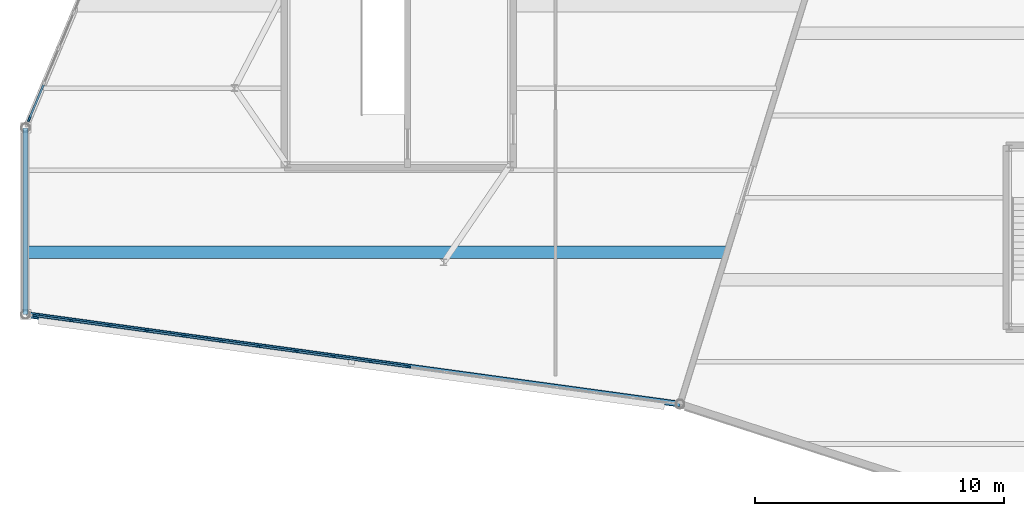
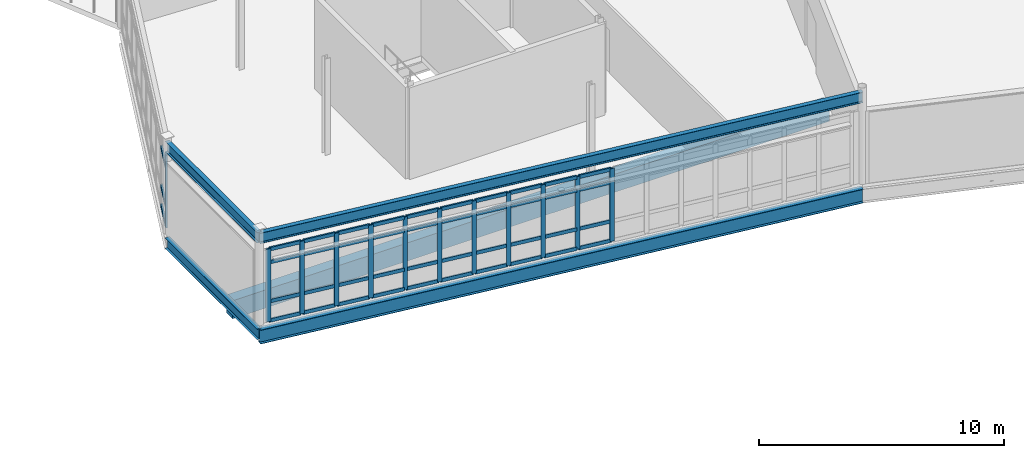
# One storey, part 42 of 114: 55 members, 5 beams, 2 elements without a shape of their own.
"""IFC4 building model written with IfcOpenShell, lengths in metres."""

from ifc_helpers import new_model, si_unit, direction, frame, origin, origin_2d, place, context, subcontext, project, spatial, rectangle, i_section, extrude, material, material_profile, profile_set, type_object, element, aggregate, save


model = new_model("IFC4")

# Units and contexts
model_context = context("Model", 3, precision=1e-05, world=origin(), true_north=direction((0.0, 1.0)))
body_context = subcontext(model_context, "Body", "Model", "MODEL_VIEW")
ifc_project = project(units=[si_unit("LENGTHUNIT", "METRE"), si_unit("AREAUNIT", "SQUARE_METRE"), si_unit("VOLUMEUNIT", "CUBIC_METRE"), si_unit("PLANEANGLEUNIT", "RADIAN"), si_unit("MASSUNIT", "GRAM", prefix="KILO")], contexts=[model_context])

# Site, building, storey
site_placement = place(None, origin())
site = spatial("IfcSite", under=ifc_project, at=site_placement, CompositionType="ELEMENT")
building_placement = place(site_placement, origin())
building = spatial("IfcBuilding", under=site, at=building_placement, Name="Tameran Prism Museum", CompositionType="ELEMENT")
storey_placement = place(building_placement, frame((0.0, 0.0, 10.199951171875)))
storey = spatial("IfcBuildingStorey", under=building, at=storey_placement, Name="L02", CompositionType="ELEMENT", Elevation=10.199951171875)

# Beams
ifc_material_1 = material(Name="Concrete N40 (40 MPa)", Category="concrete")
ifc_material_profile_1 = material_profile(ifc_material_1, rectangle(XDim=0.5, YDim=0.89990234375, at=origin_2d()))
ifc_profile_set_1 = profile_set([ifc_material_profile_1])
beam_type_1 = type_object("IfcBeamType", Name="BM-RC900", PredefinedType="BEAM", material=ifc_profile_set_1)
beam_1_placement = place(storey_placement, frame((0.0400390625, 70.39990234375, -0.7099609375), z_axis=(1.0, 0.0, 0.0), x_axis=(0.0, 1.0, 0.0)))
element("IfcBeam", 1, at=beam_1_placement, inside=storey, type_object=beam_type_1, Name="Floor Beam BM-0925", PredefinedType="BEAM", context=body_context, shape_type="SweptSolid", body=[
    extrude(rectangle(XDim=0.5, YDim=0.89990234375, at=origin_2d()), origin(), (0.0, 0.0, 1.0), 28.097900390625),
])
ifc_material_2 = material(Name="Steel Grade 300PLUS (300 MPa)", Category="steel")
ifc_material_profile_2 = material_profile(ifc_material_2, i_section(OverallWidth=0.208984375, OverallDepth=0.528076171875, WebThickness=0.009521484375, FlangeThickness=0.01318359375, FilletRadius=0.013916015625, at=origin_2d()))
ifc_profile_set_2 = profile_set([ifc_material_profile_2])
beam_type_2 = type_object("IfcBeamType", Name="BM-SP530B", PredefinedType="SPANDREL", material=ifc_profile_set_2)
for number, where, z_axis, x_axis, name in (
    (2, (0.0, 75.39990234375, -0.52392578125), (0.0, -1.0, 0.0), (1.0, 0.0, 0.0), "Perimeter Spandrel SP-0740"),
    (3, (0.0, 75.39990234375, 4.2861328125), (0.0, -1.0, 0.0), (1.0, 0.0, 0.0), "Roof Ring Beam RB-0744"),
):
    element("IfcBeam", number, at=place(storey_placement, frame(where, z_axis=z_axis, x_axis=x_axis)), inside=storey, type_object=beam_type_2, Name=name, PredefinedType="SPANDREL", context=body_context, shape_type="SweptSolid", body=[
        extrude(i_section(OverallWidth=0.208984375, OverallDepth=0.528076171875, WebThickness=0.009521484375, FlangeThickness=0.01318359375, FilletRadius=0.013916015625, at=origin_2d()), origin(), (0.0, 0.0, 1.0), 7.5),
    ])
beam_2_placement = place(storey_placement, frame((0.0, 67.89990234375, 4.2861328125), z_axis=(0.990762043415, -0.13561184804, 0.0), x_axis=(0.13561184804, 0.990762043415, 0.0)))
element("IfcBeam", 4, at=beam_2_placement, inside=storey, type_object=beam_type_2, Name="Roof Ring Beam RB-0745", PredefinedType="SPANDREL", context=body_context, shape_type="SweptSolid", body=[
    extrude(i_section(OverallWidth=0.208984375, OverallDepth=0.528076171875, WebThickness=0.009521484375, FlangeThickness=0.01318359375, FilletRadius=0.013916015625, at=origin_2d()), origin(), (0.0, 0.0, 1.0), 26.545166015625),
])
ifc_material_3 = material(Name="Steel Grade 350 (350 MPa)", Category="steel")
ifc_material_profile_3 = material_profile(ifc_material_3, i_section(OverallWidth=0.25, OverallDepth=0.699951171875, WebThickness=0.010009765625, FlangeThickness=0.02001953125, at=origin_2d()))
ifc_profile_set_3 = profile_set([ifc_material_profile_3])
beam_type_3 = type_object("IfcBeamType", Name="BM-SP700", PredefinedType="SPANDREL", material=ifc_profile_set_3)
beam_3_placement = place(storey_placement, frame((0.0, 67.89990234375, -0.60986328125), z_axis=(0.990762043415, -0.13561184804, 0.0), x_axis=(0.13561184804, 0.990762043415, 0.0)))
element("IfcBeam", 5, at=beam_3_placement, inside=storey, type_object=beam_type_3, Name="Perimeter Spandrel SP-0741", PredefinedType="SPANDREL", context=body_context, shape_type="SweptSolid", body=[
    extrude(i_section(OverallWidth=0.25, OverallDepth=0.699951171875, WebThickness=0.010009765625, FlangeThickness=0.02001953125, at=origin_2d()), origin(), (0.0, 0.0, 1.0), 26.545166015625),
])

# Curtain wall, members
ifc_material_4 = material(Name="Anodised Aluminium 6063-T6 and Cyclone Solar Glass", Category="aluminium")
curtain_wall_type_1 = type_object("IfcCurtainWallType", Name="CW-FAC-2579x362", PredefinedType="USERDEFINED", material=ifc_material_4)
curtain_wall_1_placement = place(storey_placement, origin())
curtain_wall_1 = element("IfcCurtainWall", 6, at=curtain_wall_1_placement, inside=storey, type_object=curtain_wall_type_1, Name="Unitised Curtain Wall CW-125", ObjectType="UNITISED CURTAIN WALL", PredefinedType="USERDEFINED")
ifc_material_5 = material(Name="Anodised Aluminium Alloy 6063-T6", Category="aluminium")
ifc_material_profile_4 = material_profile(ifc_material_5, rectangle(XDim=0.074951171875, YDim=0.199951171875, at=origin_2d()))
ifc_profile_set_4 = profile_set([ifc_material_profile_4])
member_type_1 = type_object("IfcMemberType", Name="CW-MUL-C", PredefinedType="MULLION", material=ifc_profile_set_4)
member_1_placement = place(storey_placement, frame((15.374755859375, 65.79541015625, 0.0), z_axis=(0.0, 0.0, 1.0), x_axis=(-0.135658330466, -0.990755679961, 0.0)))
member_1 = element("IfcMember", 7, at=member_1_placement, type_object=member_type_1, Name="CW-125 mullion 8", PredefinedType="MULLION", context=body_context, shape_type="SweptSolid", body=[
    extrude(rectangle(XDim=0.074951171875, YDim=0.199951171875, at=origin_2d()), origin(), (0.0, 0.0, 1.0), 3.6201171875),
])
member_2_placement = place(storey_placement, frame((13.871826171875, 66.001220703125, 0.0), z_axis=(0.0, 0.0, 1.0), x_axis=(-0.135658330466, -0.990755679961, 0.0)))
member_2 = element("IfcMember", 8, at=member_2_placement, type_object=member_type_1, Name="CW-125 mullion 9", PredefinedType="MULLION", context=body_context, shape_type="SweptSolid", body=[
    extrude(rectangle(XDim=0.074951171875, YDim=0.199951171875, at=origin_2d()), origin(), (0.0, 0.0, 1.0), 3.6201171875),
])
member_3_placement = place(storey_placement, frame((12.369140625, 66.206787109375, 0.0), z_axis=(0.0, 0.0, 1.0), x_axis=(-0.135658330466, -0.990755679961, 0.0)))
member_3 = element("IfcMember", 9, at=member_3_placement, type_object=member_type_1, Name="CW-125 mullion 10", PredefinedType="MULLION", context=body_context, shape_type="SweptSolid", body=[
    extrude(rectangle(XDim=0.074951171875, YDim=0.199951171875, at=origin_2d()), origin(), (0.0, 0.0, 1.0), 3.6201171875),
])
member_4_placement = place(storey_placement, frame((10.866455078125, 66.41259765625, 0.0), z_axis=(0.0, 0.0, 1.0), x_axis=(-0.135658330466, -0.990755679961, 0.0)))
member_4 = element("IfcMember", 10, at=member_4_placement, type_object=member_type_1, Name="CW-125 mullion 11", PredefinedType="MULLION", context=body_context, shape_type="SweptSolid", body=[
    extrude(rectangle(XDim=0.074951171875, YDim=0.199951171875, at=origin_2d()), origin(), (0.0, 0.0, 1.0), 3.6201171875),
])
member_5_placement = place(storey_placement, frame((9.363525390625, 66.618408203125, 0.0), z_axis=(0.0, 0.0, 1.0), x_axis=(-0.135658330466, -0.990755679961, 0.0)))
member_5 = element("IfcMember", 11, at=member_5_placement, type_object=member_type_1, Name="CW-125 mullion 12", PredefinedType="MULLION", context=body_context, shape_type="SweptSolid", body=[
    extrude(rectangle(XDim=0.074951171875, YDim=0.199951171875, at=origin_2d()), origin(), (0.0, 0.0, 1.0), 3.6201171875),
])
member_6_placement = place(storey_placement, frame((7.86083984375, 66.82421875, 0.0), z_axis=(0.0, 0.0, 1.0), x_axis=(-0.135658330466, -0.990755679961, 0.0)))
member_6 = element("IfcMember", 12, at=member_6_placement, type_object=member_type_1, Name="CW-125 mullion 13", PredefinedType="MULLION", context=body_context, shape_type="SweptSolid", body=[
    extrude(rectangle(XDim=0.074951171875, YDim=0.199951171875, at=origin_2d()), origin(), (0.0, 0.0, 1.0), 3.6201171875),
])
member_7_placement = place(storey_placement, frame((6.358154296875, 67.030029296875, 0.0), z_axis=(0.0, 0.0, 1.0), x_axis=(-0.135658330466, -0.990755679961, 0.0)))
member_7 = element("IfcMember", 13, at=member_7_placement, type_object=member_type_1, Name="CW-125 mullion 14", PredefinedType="MULLION", context=body_context, shape_type="SweptSolid", body=[
    extrude(rectangle(XDim=0.074951171875, YDim=0.199951171875, at=origin_2d()), origin(), (0.0, 0.0, 1.0), 3.6201171875),
])
member_8_placement = place(storey_placement, frame((4.855224609375, 67.235595703125, 0.0), z_axis=(0.0, 0.0, 1.0), x_axis=(-0.135658330466, -0.990755679961, 0.0)))
member_8 = element("IfcMember", 14, at=member_8_placement, type_object=member_type_1, Name="CW-125 mullion 15", PredefinedType="MULLION", context=body_context, shape_type="SweptSolid", body=[
    extrude(rectangle(XDim=0.074951171875, YDim=0.199951171875, at=origin_2d()), origin(), (0.0, 0.0, 1.0), 3.6201171875),
])
member_9_placement = place(storey_placement, frame((3.3525390625, 67.44140625, 0.0), z_axis=(0.0, 0.0, 1.0), x_axis=(-0.135658330466, -0.990755679961, 0.0)))
member_9 = element("IfcMember", 15, at=member_9_placement, type_object=member_type_1, Name="CW-125 mullion 16", PredefinedType="MULLION", context=body_context, shape_type="SweptSolid", body=[
    extrude(rectangle(XDim=0.074951171875, YDim=0.199951171875, at=origin_2d()), origin(), (0.0, 0.0, 1.0), 3.6201171875),
])
member_10_placement = place(storey_placement, frame((1.849853515625, 67.647216796875, 0.0), z_axis=(0.0, 0.0, 1.0), x_axis=(-0.135658330466, -0.990755679961, 0.0)))
member_10 = element("IfcMember", 16, at=member_10_placement, type_object=member_type_1, Name="CW-125 mullion 17", PredefinedType="MULLION", context=body_context, shape_type="SweptSolid", body=[
    extrude(rectangle(XDim=0.074951171875, YDim=0.199951171875, at=origin_2d()), origin(), (0.0, 0.0, 1.0), 3.6201171875),
])
member_11_placement = place(storey_placement, frame((0.384033203125, 67.847900390625, 0.0), z_axis=(0.0, 0.0, 1.0), x_axis=(-0.135658330466, -0.990755679961, 0.0)))
member_11 = element("IfcMember", 17, at=member_11_placement, type_object=member_type_1, Name="CW-125 mullion 18", PredefinedType="MULLION", context=body_context, shape_type="SweptSolid", body=[
    extrude(rectangle(XDim=0.074951171875, YDim=0.199951171875, at=origin_2d()), origin(), (0.0, 0.0, 1.0), 3.6201171875),
])

# Curtain wall, member
ifc_material_6 = material(Name="Anodised Aluminium 6063-T6 and Cyclone Solar Glass", Category="aluminium")
curtain_wall_type_2 = type_object("IfcCurtainWallType", Name="CW-FAC-1405x362", PredefinedType="USERDEFINED", material=ifc_material_6)
curtain_wall_2_placement = place(storey_placement, origin())
curtain_wall_2 = element("IfcCurtainWall", 18, at=curtain_wall_2_placement, inside=storey, type_object=curtain_wall_type_2, Name="Unitised Curtain Wall CW-126", ObjectType="UNITISED CURTAIN WALL", PredefinedType="USERDEFINED")
ifc_material_7 = material(Name="Anodised Aluminium Alloy 6063-T6", Category="aluminium")
ifc_material_profile_5 = material_profile(ifc_material_7, rectangle(XDim=0.080078125, YDim=0.219970703125, at=origin_2d()))
ifc_profile_set_5 = profile_set([ifc_material_profile_5])
member_type_2 = type_object("IfcMemberType", Name="CW-MUL-D", PredefinedType="MULLION", material=ifc_profile_set_5)
member_12_placement = place(storey_placement, frame((0.150390625, 75.760009765625, 0.0), z_axis=(0.0, 0.0, 1.0), x_axis=(-0.922253342824, 0.386586046891, 0.0)))
member_12 = element("IfcMember", 19, at=member_12_placement, type_object=member_type_2, Name="CW-126 mullion 1", PredefinedType="MULLION", context=body_context, shape_type="SweptSolid", body=[
    extrude(rectangle(XDim=0.080078125, YDim=0.219970703125, at=origin_2d()), origin(), (0.0, 0.0, 1.0), 3.6201171875),
])

# Member
ifc_material_8 = material(Name="Anodised Aluminium Alloy 6063-T6", Category="aluminium")
ifc_material_profile_6 = material_profile(ifc_material_8, rectangle(XDim=0.074951171875, YDim=0.175048828125, at=origin_2d()))
ifc_profile_set_6 = profile_set([ifc_material_profile_6])
member_type_3 = type_object("IfcMemberType", Name="CW-TRN-C", PredefinedType="USERDEFINED", material=ifc_profile_set_6)
member_13_placement = place(storey_placement, frame((15.33740234375, 65.800537109375, 0.03759765625), z_axis=(-0.990758932217, 0.135634576091, 0.0), x_axis=(-0.135634576091, -0.990758932217, 0.0)))
member_13 = element("IfcMember", 20, at=member_13_placement, type_object=member_type_3, Name="CW-125 transom 8.1", ObjectType="TRANSOM", PredefinedType="USERDEFINED", context=body_context, shape_type="SweptSolid", body=[
    extrude(rectangle(XDim=0.074951171875, YDim=0.175048828125, at=origin_2d()), origin(), (0.0, 0.0, 1.0), 1.44189453125),
])

member_14_placement = place(storey_placement, frame((15.33740234375, 65.800537109375, 1.0), z_axis=(-0.990758932217, 0.135634576091, 0.0), x_axis=(-0.135634576091, -0.990758932217, 0.0)))
member_14 = element("IfcMember", 21, at=member_14_placement, type_object=member_type_3, Name="CW-125 transom 8.2", ObjectType="TRANSOM", PredefinedType="USERDEFINED", context=body_context, shape_type="SweptSolid", body=[
    extrude(rectangle(XDim=0.074951171875, YDim=0.175048828125, at=origin_2d()), origin(), (0.0, 0.0, 1.0), 1.44189453125),
])

member_15_placement = place(storey_placement, frame((15.33740234375, 65.800537109375, 2.93994140625), z_axis=(-0.990758932217, 0.135634576091, 0.0), x_axis=(-0.135634576091, -0.990758932217, 0.0)))
member_15 = element("IfcMember", 22, at=member_15_placement, type_object=member_type_3, Name="CW-125 transom 8.3", ObjectType="TRANSOM", PredefinedType="USERDEFINED", context=body_context, shape_type="SweptSolid", body=[
    extrude(rectangle(XDim=0.074951171875, YDim=0.175048828125, at=origin_2d()), origin(), (0.0, 0.0, 1.0), 1.44189453125),
])

member_16_placement = place(storey_placement, frame((15.33740234375, 65.800537109375, 3.58251953125), z_axis=(-0.990758932217, 0.135634576091, 0.0), x_axis=(-0.135634576091, -0.990758932217, 0.0)))
member_16 = element("IfcMember", 23, at=member_16_placement, type_object=member_type_3, Name="CW-125 transom 8.4", ObjectType="TRANSOM", PredefinedType="USERDEFINED", context=body_context, shape_type="SweptSolid", body=[
    extrude(rectangle(XDim=0.074951171875, YDim=0.175048828125, at=origin_2d()), origin(), (0.0, 0.0, 1.0), 1.44189453125),
])

member_17_placement = place(storey_placement, frame((13.834716796875, 66.006103515625, 0.03759765625), z_axis=(-0.990736163826, 0.13580078677, 0.0), x_axis=(-0.13580078677, -0.990736163826, 0.0)))
member_17 = element("IfcMember", 24, at=member_17_placement, type_object=member_type_3, Name="CW-125 transom 9.1", ObjectType="TRANSOM", PredefinedType="USERDEFINED", context=body_context, shape_type="SweptSolid", body=[
    extrude(rectangle(XDim=0.074951171875, YDim=0.175048828125, at=origin_2d()), origin(), (0.0, 0.0, 1.0), 1.44189453125),
])

member_18_placement = place(storey_placement, frame((13.834716796875, 66.006103515625, 1.0), z_axis=(-0.990736163826, 0.13580078677, 0.0), x_axis=(-0.13580078677, -0.990736163826, 0.0)))
member_18 = element("IfcMember", 25, at=member_18_placement, type_object=member_type_3, Name="CW-125 transom 9.2", ObjectType="TRANSOM", PredefinedType="USERDEFINED", context=body_context, shape_type="SweptSolid", body=[
    extrude(rectangle(XDim=0.074951171875, YDim=0.175048828125, at=origin_2d()), origin(), (0.0, 0.0, 1.0), 1.44189453125),
])

member_19_placement = place(storey_placement, frame((13.834716796875, 66.006103515625, 2.93994140625), z_axis=(-0.990736163826, 0.13580078677, 0.0), x_axis=(-0.13580078677, -0.990736163826, 0.0)))
member_19 = element("IfcMember", 26, at=member_19_placement, type_object=member_type_3, Name="CW-125 transom 9.3", ObjectType="TRANSOM", PredefinedType="USERDEFINED", context=body_context, shape_type="SweptSolid", body=[
    extrude(rectangle(XDim=0.074951171875, YDim=0.175048828125, at=origin_2d()), origin(), (0.0, 0.0, 1.0), 1.44189453125),
])

member_20_placement = place(storey_placement, frame((13.834716796875, 66.006103515625, 3.58251953125), z_axis=(-0.990736163826, 0.13580078677, 0.0), x_axis=(-0.13580078677, -0.990736163826, 0.0)))
member_20 = element("IfcMember", 27, at=member_20_placement, type_object=member_type_3, Name="CW-125 transom 9.4", ObjectType="TRANSOM", PredefinedType="USERDEFINED", context=body_context, shape_type="SweptSolid", body=[
    extrude(rectangle(XDim=0.074951171875, YDim=0.175048828125, at=origin_2d()), origin(), (0.0, 0.0, 1.0), 1.44189453125),
])

member_21_placement = place(storey_placement, frame((12.33203125, 66.2119140625, 0.03759765625), z_axis=(-0.990758932217, 0.135634576091, 0.0), x_axis=(-0.135634576091, -0.990758932217, 0.0)))
member_21 = element("IfcMember", 28, at=member_21_placement, type_object=member_type_3, Name="CW-125 transom 10.1", ObjectType="TRANSOM", PredefinedType="USERDEFINED", context=body_context, shape_type="SweptSolid", body=[
    extrude(rectangle(XDim=0.074951171875, YDim=0.175048828125, at=origin_2d()), origin(), (0.0, 0.0, 1.0), 1.44189453125),
])

member_22_placement = place(storey_placement, frame((12.33203125, 66.2119140625, 1.0), z_axis=(-0.990758932217, 0.135634576091, 0.0), x_axis=(-0.135634576091, -0.990758932217, 0.0)))
member_22 = element("IfcMember", 29, at=member_22_placement, type_object=member_type_3, Name="CW-125 transom 10.2", ObjectType="TRANSOM", PredefinedType="USERDEFINED", context=body_context, shape_type="SweptSolid", body=[
    extrude(rectangle(XDim=0.074951171875, YDim=0.175048828125, at=origin_2d()), origin(), (0.0, 0.0, 1.0), 1.44189453125),
])

member_23_placement = place(storey_placement, frame((12.33203125, 66.2119140625, 2.93994140625), z_axis=(-0.990758932217, 0.135634576091, 0.0), x_axis=(-0.135634576091, -0.990758932217, 0.0)))
member_23 = element("IfcMember", 30, at=member_23_placement, type_object=member_type_3, Name="CW-125 transom 10.3", ObjectType="TRANSOM", PredefinedType="USERDEFINED", context=body_context, shape_type="SweptSolid", body=[
    extrude(rectangle(XDim=0.074951171875, YDim=0.175048828125, at=origin_2d()), origin(), (0.0, 0.0, 1.0), 1.44189453125),
])

member_24_placement = place(storey_placement, frame((12.33203125, 66.2119140625, 3.58251953125), z_axis=(-0.990758932217, 0.135634576091, 0.0), x_axis=(-0.135634576091, -0.990758932217, 0.0)))
member_24 = element("IfcMember", 31, at=member_24_placement, type_object=member_type_3, Name="CW-125 transom 10.4", ObjectType="TRANSOM", PredefinedType="USERDEFINED", context=body_context, shape_type="SweptSolid", body=[
    extrude(rectangle(XDim=0.074951171875, YDim=0.175048828125, at=origin_2d()), origin(), (0.0, 0.0, 1.0), 1.44189453125),
])

member_25_placement = place(storey_placement, frame((10.8291015625, 66.417724609375, 0.03759765625), z_axis=(-0.990758932217, 0.135634576091, 0.0), x_axis=(-0.135634576091, -0.990758932217, 0.0)))
member_25 = element("IfcMember", 32, at=member_25_placement, type_object=member_type_3, Name="CW-125 transom 11.1", ObjectType="TRANSOM", PredefinedType="USERDEFINED", context=body_context, shape_type="SweptSolid", body=[
    extrude(rectangle(XDim=0.074951171875, YDim=0.175048828125, at=origin_2d()), origin(), (0.0, 0.0, 1.0), 1.44189453125),
])

member_26_placement = place(storey_placement, frame((10.8291015625, 66.417724609375, 1.0), z_axis=(-0.990758932217, 0.135634576091, 0.0), x_axis=(-0.135634576091, -0.990758932217, 0.0)))
member_26 = element("IfcMember", 33, at=member_26_placement, type_object=member_type_3, Name="CW-125 transom 11.2", ObjectType="TRANSOM", PredefinedType="USERDEFINED", context=body_context, shape_type="SweptSolid", body=[
    extrude(rectangle(XDim=0.074951171875, YDim=0.175048828125, at=origin_2d()), origin(), (0.0, 0.0, 1.0), 1.44189453125),
])

member_27_placement = place(storey_placement, frame((10.8291015625, 66.417724609375, 2.93994140625), z_axis=(-0.990758932217, 0.135634576091, 0.0), x_axis=(-0.135634576091, -0.990758932217, 0.0)))
member_27 = element("IfcMember", 34, at=member_27_placement, type_object=member_type_3, Name="CW-125 transom 11.3", ObjectType="TRANSOM", PredefinedType="USERDEFINED", context=body_context, shape_type="SweptSolid", body=[
    extrude(rectangle(XDim=0.074951171875, YDim=0.175048828125, at=origin_2d()), origin(), (0.0, 0.0, 1.0), 1.44189453125),
])

member_28_placement = place(storey_placement, frame((10.8291015625, 66.417724609375, 3.58251953125), z_axis=(-0.990758932217, 0.135634576091, 0.0), x_axis=(-0.135634576091, -0.990758932217, 0.0)))
member_28 = element("IfcMember", 35, at=member_28_placement, type_object=member_type_3, Name="CW-125 transom 11.4", ObjectType="TRANSOM", PredefinedType="USERDEFINED", context=body_context, shape_type="SweptSolid", body=[
    extrude(rectangle(XDim=0.074951171875, YDim=0.175048828125, at=origin_2d()), origin(), (0.0, 0.0, 1.0), 1.44189453125),
])

member_29_placement = place(storey_placement, frame((9.326416015625, 66.62353515625, 0.03759765625), z_axis=(-0.990758932217, 0.135634576091, 0.0), x_axis=(-0.135634576091, -0.990758932217, 0.0)))
member_29 = element("IfcMember", 36, at=member_29_placement, type_object=member_type_3, Name="CW-125 transom 12.1", ObjectType="TRANSOM", PredefinedType="USERDEFINED", context=body_context, shape_type="SweptSolid", body=[
    extrude(rectangle(XDim=0.074951171875, YDim=0.175048828125, at=origin_2d()), origin(), (0.0, 0.0, 1.0), 1.44189453125),
])

member_30_placement = place(storey_placement, frame((9.326416015625, 66.62353515625, 1.0), z_axis=(-0.990758932217, 0.135634576091, 0.0), x_axis=(-0.135634576091, -0.990758932217, 0.0)))
member_30 = element("IfcMember", 37, at=member_30_placement, type_object=member_type_3, Name="CW-125 transom 12.2", ObjectType="TRANSOM", PredefinedType="USERDEFINED", context=body_context, shape_type="SweptSolid", body=[
    extrude(rectangle(XDim=0.074951171875, YDim=0.175048828125, at=origin_2d()), origin(), (0.0, 0.0, 1.0), 1.44189453125),
])

member_31_placement = place(storey_placement, frame((9.326416015625, 66.62353515625, 2.93994140625), z_axis=(-0.990758932217, 0.135634576091, 0.0), x_axis=(-0.135634576091, -0.990758932217, 0.0)))
member_31 = element("IfcMember", 38, at=member_31_placement, type_object=member_type_3, Name="CW-125 transom 12.3", ObjectType="TRANSOM", PredefinedType="USERDEFINED", context=body_context, shape_type="SweptSolid", body=[
    extrude(rectangle(XDim=0.074951171875, YDim=0.175048828125, at=origin_2d()), origin(), (0.0, 0.0, 1.0), 1.44189453125),
])

member_32_placement = place(storey_placement, frame((9.326416015625, 66.62353515625, 3.58251953125), z_axis=(-0.990758932217, 0.135634576091, 0.0), x_axis=(-0.135634576091, -0.990758932217, 0.0)))
member_32 = element("IfcMember", 39, at=member_32_placement, type_object=member_type_3, Name="CW-125 transom 12.4", ObjectType="TRANSOM", PredefinedType="USERDEFINED", context=body_context, shape_type="SweptSolid", body=[
    extrude(rectangle(XDim=0.074951171875, YDim=0.175048828125, at=origin_2d()), origin(), (0.0, 0.0, 1.0), 1.44189453125),
])

member_33_placement = place(storey_placement, frame((7.82373046875, 66.829345703125, 0.03759765625), z_axis=(-0.990758932217, 0.135634576091, 0.0), x_axis=(-0.135634576091, -0.990758932217, 0.0)))
member_33 = element("IfcMember", 40, at=member_33_placement, type_object=member_type_3, Name="CW-125 transom 13.1", ObjectType="TRANSOM", PredefinedType="USERDEFINED", context=body_context, shape_type="SweptSolid", body=[
    extrude(rectangle(XDim=0.074951171875, YDim=0.175048828125, at=origin_2d()), origin(), (0.0, 0.0, 1.0), 1.44189453125),
])

member_34_placement = place(storey_placement, frame((7.82373046875, 66.829345703125, 1.0), z_axis=(-0.990758932217, 0.135634576091, 0.0), x_axis=(-0.135634576091, -0.990758932217, 0.0)))
member_34 = element("IfcMember", 41, at=member_34_placement, type_object=member_type_3, Name="CW-125 transom 13.2", ObjectType="TRANSOM", PredefinedType="USERDEFINED", context=body_context, shape_type="SweptSolid", body=[
    extrude(rectangle(XDim=0.074951171875, YDim=0.175048828125, at=origin_2d()), origin(), (0.0, 0.0, 1.0), 1.44189453125),
])

member_35_placement = place(storey_placement, frame((7.82373046875, 66.829345703125, 2.93994140625), z_axis=(-0.990758932217, 0.135634576091, 0.0), x_axis=(-0.135634576091, -0.990758932217, 0.0)))
member_35 = element("IfcMember", 42, at=member_35_placement, type_object=member_type_3, Name="CW-125 transom 13.3", ObjectType="TRANSOM", PredefinedType="USERDEFINED", context=body_context, shape_type="SweptSolid", body=[
    extrude(rectangle(XDim=0.074951171875, YDim=0.175048828125, at=origin_2d()), origin(), (0.0, 0.0, 1.0), 1.44189453125),
])

member_36_placement = place(storey_placement, frame((7.82373046875, 66.829345703125, 3.58251953125), z_axis=(-0.990758932217, 0.135634576091, 0.0), x_axis=(-0.135634576091, -0.990758932217, 0.0)))
member_36 = element("IfcMember", 43, at=member_36_placement, type_object=member_type_3, Name="CW-125 transom 13.4", ObjectType="TRANSOM", PredefinedType="USERDEFINED", context=body_context, shape_type="SweptSolid", body=[
    extrude(rectangle(XDim=0.074951171875, YDim=0.175048828125, at=origin_2d()), origin(), (0.0, 0.0, 1.0), 1.44189453125),
])

member_37_placement = place(storey_placement, frame((6.32080078125, 67.034912109375, 0.03759765625), z_axis=(-0.990736163826, 0.13580078677, 0.0), x_axis=(-0.13580078677, -0.990736163826, 0.0)))
member_37 = element("IfcMember", 44, at=member_37_placement, type_object=member_type_3, Name="CW-125 transom 14.1", ObjectType="TRANSOM", PredefinedType="USERDEFINED", context=body_context, shape_type="SweptSolid", body=[
    extrude(rectangle(XDim=0.074951171875, YDim=0.175048828125, at=origin_2d()), origin(), (0.0, 0.0, 1.0), 1.44189453125),
])

member_38_placement = place(storey_placement, frame((6.32080078125, 67.034912109375, 1.0), z_axis=(-0.990736163826, 0.13580078677, 0.0), x_axis=(-0.13580078677, -0.990736163826, 0.0)))
member_38 = element("IfcMember", 45, at=member_38_placement, type_object=member_type_3, Name="CW-125 transom 14.2", ObjectType="TRANSOM", PredefinedType="USERDEFINED", context=body_context, shape_type="SweptSolid", body=[
    extrude(rectangle(XDim=0.074951171875, YDim=0.175048828125, at=origin_2d()), origin(), (0.0, 0.0, 1.0), 1.44189453125),
])

member_39_placement = place(storey_placement, frame((6.32080078125, 67.034912109375, 2.93994140625), z_axis=(-0.990736163826, 0.13580078677, 0.0), x_axis=(-0.13580078677, -0.990736163826, 0.0)))
member_39 = element("IfcMember", 46, at=member_39_placement, type_object=member_type_3, Name="CW-125 transom 14.3", ObjectType="TRANSOM", PredefinedType="USERDEFINED", context=body_context, shape_type="SweptSolid", body=[
    extrude(rectangle(XDim=0.074951171875, YDim=0.175048828125, at=origin_2d()), origin(), (0.0, 0.0, 1.0), 1.44189453125),
])

member_40_placement = place(storey_placement, frame((6.32080078125, 67.034912109375, 3.58251953125), z_axis=(-0.990736163826, 0.13580078677, 0.0), x_axis=(-0.13580078677, -0.990736163826, 0.0)))
member_40 = element("IfcMember", 47, at=member_40_placement, type_object=member_type_3, Name="CW-125 transom 14.4", ObjectType="TRANSOM", PredefinedType="USERDEFINED", context=body_context, shape_type="SweptSolid", body=[
    extrude(rectangle(XDim=0.074951171875, YDim=0.175048828125, at=origin_2d()), origin(), (0.0, 0.0, 1.0), 1.44189453125),
])

member_41_placement = place(storey_placement, frame((4.818115234375, 67.24072265625, 0.03759765625), z_axis=(-0.990758932217, 0.135634576091, 0.0), x_axis=(-0.135634576091, -0.990758932217, 0.0)))
member_41 = element("IfcMember", 48, at=member_41_placement, type_object=member_type_3, Name="CW-125 transom 15.1", ObjectType="TRANSOM", PredefinedType="USERDEFINED", context=body_context, shape_type="SweptSolid", body=[
    extrude(rectangle(XDim=0.074951171875, YDim=0.175048828125, at=origin_2d()), origin(), (0.0, 0.0, 1.0), 1.44189453125),
])

member_42_placement = place(storey_placement, frame((4.818115234375, 67.24072265625, 1.0), z_axis=(-0.990758932217, 0.135634576091, 0.0), x_axis=(-0.135634576091, -0.990758932217, 0.0)))
member_42 = element("IfcMember", 49, at=member_42_placement, type_object=member_type_3, Name="CW-125 transom 15.2", ObjectType="TRANSOM", PredefinedType="USERDEFINED", context=body_context, shape_type="SweptSolid", body=[
    extrude(rectangle(XDim=0.074951171875, YDim=0.175048828125, at=origin_2d()), origin(), (0.0, 0.0, 1.0), 1.44189453125),
])

member_43_placement = place(storey_placement, frame((4.818115234375, 67.24072265625, 2.93994140625), z_axis=(-0.990758932217, 0.135634576091, 0.0), x_axis=(-0.135634576091, -0.990758932217, 0.0)))
member_43 = element("IfcMember", 50, at=member_43_placement, type_object=member_type_3, Name="CW-125 transom 15.3", ObjectType="TRANSOM", PredefinedType="USERDEFINED", context=body_context, shape_type="SweptSolid", body=[
    extrude(rectangle(XDim=0.074951171875, YDim=0.175048828125, at=origin_2d()), origin(), (0.0, 0.0, 1.0), 1.44189453125),
])

member_44_placement = place(storey_placement, frame((4.818115234375, 67.24072265625, 3.58251953125), z_axis=(-0.990758932217, 0.135634576091, 0.0), x_axis=(-0.135634576091, -0.990758932217, 0.0)))
member_44 = element("IfcMember", 51, at=member_44_placement, type_object=member_type_3, Name="CW-125 transom 15.4", ObjectType="TRANSOM", PredefinedType="USERDEFINED", context=body_context, shape_type="SweptSolid", body=[
    extrude(rectangle(XDim=0.074951171875, YDim=0.175048828125, at=origin_2d()), origin(), (0.0, 0.0, 1.0), 1.44189453125),
])

member_45_placement = place(storey_placement, frame((3.3154296875, 67.446533203125, 0.03759765625), z_axis=(-0.990758932217, 0.135634576091, 0.0), x_axis=(-0.135634576091, -0.990758932217, 0.0)))
member_45 = element("IfcMember", 52, at=member_45_placement, type_object=member_type_3, Name="CW-125 transom 16.1", ObjectType="TRANSOM", PredefinedType="USERDEFINED", context=body_context, shape_type="SweptSolid", body=[
    extrude(rectangle(XDim=0.074951171875, YDim=0.175048828125, at=origin_2d()), origin(), (0.0, 0.0, 1.0), 1.44189453125),
])

member_46_placement = place(storey_placement, frame((3.3154296875, 67.446533203125, 1.0), z_axis=(-0.990758932217, 0.135634576091, 0.0), x_axis=(-0.135634576091, -0.990758932217, 0.0)))
member_46 = element("IfcMember", 53, at=member_46_placement, type_object=member_type_3, Name="CW-125 transom 16.2", ObjectType="TRANSOM", PredefinedType="USERDEFINED", context=body_context, shape_type="SweptSolid", body=[
    extrude(rectangle(XDim=0.074951171875, YDim=0.175048828125, at=origin_2d()), origin(), (0.0, 0.0, 1.0), 1.44189453125),
])

member_47_placement = place(storey_placement, frame((3.3154296875, 67.446533203125, 2.93994140625), z_axis=(-0.990758932217, 0.135634576091, 0.0), x_axis=(-0.135634576091, -0.990758932217, 0.0)))
member_47 = element("IfcMember", 54, at=member_47_placement, type_object=member_type_3, Name="CW-125 transom 16.3", ObjectType="TRANSOM", PredefinedType="USERDEFINED", context=body_context, shape_type="SweptSolid", body=[
    extrude(rectangle(XDim=0.074951171875, YDim=0.175048828125, at=origin_2d()), origin(), (0.0, 0.0, 1.0), 1.44189453125),
])

member_48_placement = place(storey_placement, frame((3.3154296875, 67.446533203125, 3.58251953125), z_axis=(-0.990758932217, 0.135634576091, 0.0), x_axis=(-0.135634576091, -0.990758932217, 0.0)))
member_48 = element("IfcMember", 55, at=member_48_placement, type_object=member_type_3, Name="CW-125 transom 16.4", ObjectType="TRANSOM", PredefinedType="USERDEFINED", context=body_context, shape_type="SweptSolid", body=[
    extrude(rectangle(XDim=0.074951171875, YDim=0.175048828125, at=origin_2d()), origin(), (0.0, 0.0, 1.0), 1.44189453125),
])

member_49_placement = place(storey_placement, frame((1.8125, 67.65234375, 0.03759765625), z_axis=(-0.990760202109, 0.135625299692, 0.0), x_axis=(-0.135625299692, -0.990760202109, 0.0)))
member_49 = element("IfcMember", 56, at=member_49_placement, type_object=member_type_3, Name="CW-125 transom 17.1", ObjectType="TRANSOM", PredefinedType="USERDEFINED", context=body_context, shape_type="SweptSolid", body=[
    extrude(rectangle(XDim=0.074951171875, YDim=0.175048828125, at=origin_2d()), origin(), (0.0, 0.0, 1.0), 1.404052734375),
])

member_50_placement = place(storey_placement, frame((1.8125, 67.65234375, 1.0), z_axis=(-0.990760202109, 0.135625299692, 0.0), x_axis=(-0.135625299692, -0.990760202109, 0.0)))
member_50 = element("IfcMember", 57, at=member_50_placement, type_object=member_type_3, Name="CW-125 transom 17.2", ObjectType="TRANSOM", PredefinedType="USERDEFINED", context=body_context, shape_type="SweptSolid", body=[
    extrude(rectangle(XDim=0.074951171875, YDim=0.175048828125, at=origin_2d()), origin(), (0.0, 0.0, 1.0), 1.404052734375),
])

member_51_placement = place(storey_placement, frame((1.8125, 67.65234375, 2.93994140625), z_axis=(-0.990760202109, 0.135625299692, 0.0), x_axis=(-0.135625299692, -0.990760202109, 0.0)))
member_51 = element("IfcMember", 58, at=member_51_placement, type_object=member_type_3, Name="CW-125 transom 17.3", ObjectType="TRANSOM", PredefinedType="USERDEFINED", context=body_context, shape_type="SweptSolid", body=[
    extrude(rectangle(XDim=0.074951171875, YDim=0.175048828125, at=origin_2d()), origin(), (0.0, 0.0, 1.0), 1.404052734375),
])

member_52_placement = place(storey_placement, frame((1.8125, 67.65234375, 3.58251953125), z_axis=(-0.990760202109, 0.135625299692, 0.0), x_axis=(-0.135625299692, -0.990760202109, 0.0)))
member_52 = element("IfcMember", 59, at=member_52_placement, type_object=member_type_3, Name="CW-125 transom 17.4", ObjectType="TRANSOM", PredefinedType="USERDEFINED", context=body_context, shape_type="SweptSolid", body=[
    extrude(rectangle(XDim=0.074951171875, YDim=0.175048828125, at=origin_2d()), origin(), (0.0, 0.0, 1.0), 1.404052734375),
])

aggregate(curtain_wall_1, [member_1, member_2, member_3, member_4, member_5, member_6, member_7, member_8, member_9, member_10, member_11, member_13, member_14, member_15, member_16, member_17, member_18, member_19, member_20, member_21, member_22, member_23, member_24, member_25, member_26, member_27, member_28, member_29, member_30, member_31, member_32, member_33, member_34, member_35, member_36, member_37, member_38, member_39, member_40, member_41, member_42, member_43, member_44, member_45, member_46, member_47, member_48, member_49, member_50, member_51, member_52])

ifc_material_9 = material(Name="Anodised Aluminium Alloy 6063-T6", Category="aluminium")
ifc_material_profile_7 = material_profile(ifc_material_9, rectangle(XDim=0.080078125, YDim=0.195068359375, at=origin_2d()))
ifc_profile_set_7 = profile_set([ifc_material_profile_7])
member_type_4 = type_object("IfcMemberType", Name="CW-TRN-D", PredefinedType="USERDEFINED", material=ifc_profile_set_7)
member_53_placement = place(storey_placement, frame((0.166015625, 75.796875, 0.0400390625), z_axis=(0.386563947824, 0.922262605901, 0.0), x_axis=(-0.922262605901, 0.386563947824, 0.0)))
member_53 = element("IfcMember", 60, at=member_53_placement, type_object=member_type_4, Name="CW-126 transom 1.1", ObjectType="TRANSOM", PredefinedType="USERDEFINED", context=body_context, shape_type="SweptSolid", body=[
    extrude(rectangle(XDim=0.080078125, YDim=0.195068359375, at=origin_2d()), origin(), (0.0, 0.0, 1.0), 1.440673828125),
])

member_54_placement = place(storey_placement, frame((0.166015625, 75.796875, 1.0), z_axis=(0.386563947824, 0.922262605901, 0.0), x_axis=(-0.922262605901, 0.386563947824, 0.0)))
member_54 = element("IfcMember", 61, at=member_54_placement, type_object=member_type_4, Name="CW-126 transom 1.2", ObjectType="TRANSOM", PredefinedType="USERDEFINED", context=body_context, shape_type="SweptSolid", body=[
    extrude(rectangle(XDim=0.080078125, YDim=0.195068359375, at=origin_2d()), origin(), (0.0, 0.0, 1.0), 1.440673828125),
])

member_55_placement = place(storey_placement, frame((0.166015625, 75.796875, 2.93994140625), z_axis=(0.386563947824, 0.922262605901, 0.0), x_axis=(-0.922262605901, 0.386563947824, 0.0)))
member_55 = element("IfcMember", 62, at=member_55_placement, type_object=member_type_4, Name="CW-126 transom 1.3", ObjectType="TRANSOM", PredefinedType="USERDEFINED", context=body_context, shape_type="SweptSolid", body=[
    extrude(rectangle(XDim=0.080078125, YDim=0.195068359375, at=origin_2d()), origin(), (0.0, 0.0, 1.0), 1.440673828125),
])

aggregate(curtain_wall_2, [member_12, member_53, member_54, member_55])

save(model, "model.ifc")
